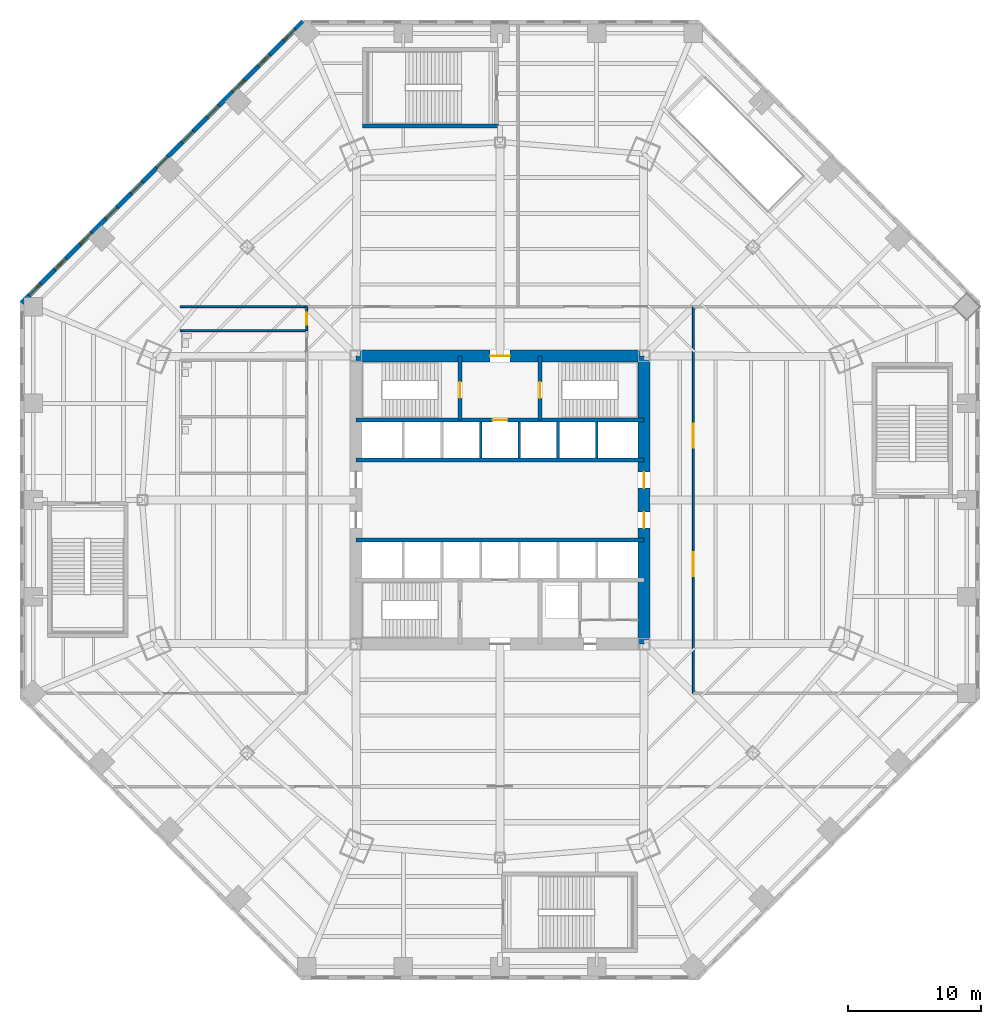
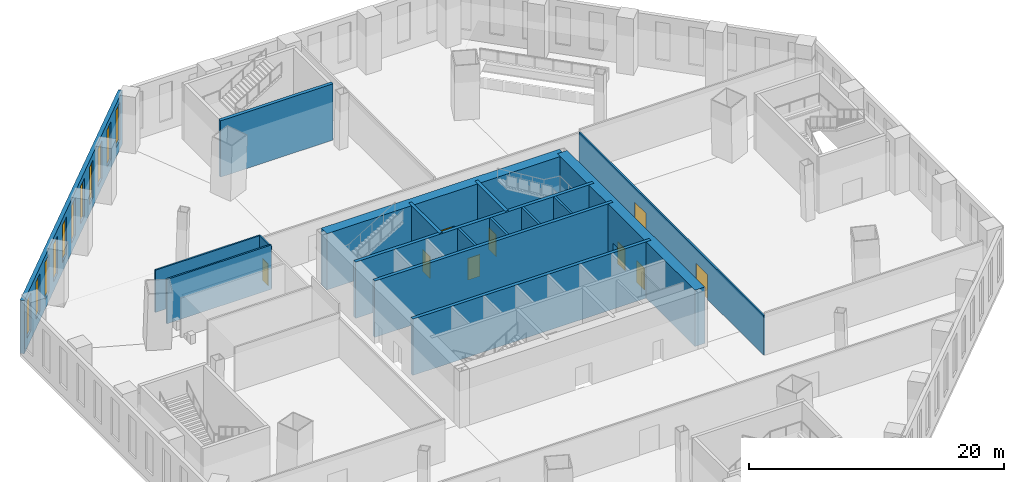
# One storey, part 11 of 18: 17 walls, 11 windows, 9 doors, 20 openings.
"""IFC4 building model written with IfcOpenShell, lengths in metres."""

from ifc_helpers import new_model, si_unit, direction, frame, frame_2d, origin, place, context, subcontext, project, spatial, rectangle, extrude, material, layer, layer_set, type_object, element, fill, save


model = new_model("IFC4")

# Units and contexts
model_context = context("Model", 3, precision=1e-05, world=origin(), true_north=direction((0.0, 1.0)))
body_context = subcontext(model_context, "Body", "Model", "MODEL_VIEW")
ifc_project = project(units=[si_unit("LENGTHUNIT", "METRE"), si_unit("AREAUNIT", "SQUARE_METRE"), si_unit("VOLUMEUNIT", "CUBIC_METRE"), si_unit("PLANEANGLEUNIT", "RADIAN"), si_unit("MASSUNIT", "GRAM", prefix="KILO")], contexts=[model_context])

# Site, building, storey
site_placement = place(None, origin())
site = spatial("IfcSite", under=ifc_project, at=site_placement, CompositionType="ELEMENT")
building_placement = place(site_placement, origin())
building = spatial("IfcBuilding", under=site, at=building_placement, Name="Mashrafa Tower", CompositionType="ELEMENT")
storey_placement = place(building_placement, frame((0.0, 0.0, 13.199951171875)))
storey = spatial("IfcBuildingStorey", under=building, at=storey_placement, Name="L02", CompositionType="ELEMENT", Elevation=13.199951171875)

# Wall
ifc_material_1 = material(Name="Concrete C60/75", Category="concrete")
ifc_layer_1 = layer(ifc_material_1, 0.300048828125)
ifc_layer_set_1 = layer_set([ifc_layer_1], Name="Core wall 300 C60/75")
wall_type_1 = type_object("IfcWallType", Name="Core wall 300 C60/75", PredefinedType="SOLIDWALL", material=ifc_layer_set_1)
wall_1_placement = place(storey_placement, frame((-10.800048828125, 3.0, 0.0), z_axis=(0.0, 0.0, 1.0), x_axis=(1.0, 0.0, 0.0)))
element("IfcWall", 1, at=wall_1_placement, inside=storey, type_object=wall_type_1, Name="Core wall CH-N L02", PredefinedType="SOLIDWALL", context=body_context, shape_type="SweptSolid", body=[
    extrude(rectangle(XDim=21.60009765625, YDim=0.300048828125, at=frame_2d((10.800048828125, 0.0))), origin(), (0.0, 0.0, 1.0), 5.400146484375),
])

# Wall, opening, door
wall_2_placement = place(storey_placement, frame((-10.800048828125, 6.0, 0.0), z_axis=(0.0, 0.0, 1.0), x_axis=(1.0, 0.0, 0.0)))
wall_2 = element("IfcWall", 2, at=wall_2_placement, inside=storey, type_object=wall_type_1, Name="Core wall CB-N L02", PredefinedType="SOLIDWALL", context=body_context, shape_type="SweptSolid", body=[
    extrude(rectangle(XDim=21.60009765625, YDim=0.300048828125, at=frame_2d((10.800048828125, 0.0))), origin(), (0.0, 0.0, 1.0), 5.400146484375),
])
opening_1_placement = place(wall_2_placement, frame((10.25, 0.0, 0.0)))
opening_1 = element("IfcOpeningElement", 3, at=opening_1_placement, cuts=wall_2, Name="Opening 02.F1", PredefinedType="OPENING", context=body_context, shape_type="SweptSolid", body=[
    extrude(rectangle(XDim=1.10009765625, YDim=2.10009765625, at=frame_2d((0.550048828125, 1.050048828125))), frame((0.0, 0.159912109375, 0.0), z_axis=(0.0, -1.0, 0.0), x_axis=(1.0, 0.0, 0.0)), (0.0, 0.0, 1.0), 0.320068359375),
])
ifc_material_2 = material(Name="Steel door", Category="steel")
door_type_1 = type_object("IfcDoorType", Name="Lift landing door 1100 x 2100 90 min", OperationType="DOUBLE_DOOR_SLIDING", PredefinedType="DOOR", material=ifc_material_2)
door_1_placement = place(opening_1_placement, origin())
door_1 = element("IfcDoor", 4, at=door_1_placement, inside=storey, type_object=door_type_1, Name="Lift landing door F1 L02", OperationType="DOUBLE_DOOR_SLIDING", OverallHeight=2.10009765625, OverallWidth=1.10009765625, PredefinedType="DOOR", context=body_context, shape_type="SweptSolid", body=[
    extrude(rectangle(XDim=1.10009765625, YDim=2.10009765625, at=frame_2d((0.550048828125, 1.050048828125))), frame((0.0, 0.02490234375, 0.0), z_axis=(0.0, -1.0, 0.0), x_axis=(1.0, 0.0, 0.0)), (0.0, 0.0, 1.0), 0.050048828125),
])
fill(opening_1, door_1)

wall_3_placement = place(storey_placement, frame((-3.0, 6.0, 0.0), z_axis=(0.0, 0.0, 1.0), x_axis=(0.0, 1.0, 0.0)))
wall_3 = element("IfcWall", 5, at=wall_3_placement, inside=storey, type_object=wall_type_1, Name="Core wall CX-NW L02", PredefinedType="SOLIDWALL", context=body_context, shape_type="SweptSolid", body=[
    extrude(rectangle(XDim=4.800048828125, YDim=0.300048828125, at=frame_2d((2.39990234375, 0.0))), origin(), (0.0, 0.0, 1.0), 5.400146484375),
])
opening_2_placement = place(wall_3_placement, frame((1.64990234375, 0.0, 0.0)))
opening_2 = element("IfcOpeningElement", 6, at=opening_2_placement, cuts=wall_3, Name="Opening 02.021", PredefinedType="OPENING", context=body_context, shape_type="SweptSolid", body=[
    extrude(rectangle(XDim=1.199951171875, YDim=2.10009765625, at=frame_2d((0.60009765625, 1.050048828125))), frame((0.0, 0.159912109375, 0.0), z_axis=(0.0, -1.0, 0.0), x_axis=(1.0, 0.0, 0.0)), (0.0, 0.0, 1.0), 0.320068359375),
])
ifc_material_3 = material(Name="Steel door", Category="steel")
door_type_2 = type_object("IfcDoorType", Name="Stair door 1200 x 2100 90 min", OperationType="USERDEFINED", PredefinedType="DOOR", material=ifc_material_3)
door_2_placement = place(opening_2_placement, origin())
door_2 = element("IfcDoor", 7, at=door_2_placement, inside=storey, type_object=door_type_2, Name="Stair S1 door L02", OperationType="SINGLE_SWING_LEFT", OverallHeight=2.10009765625, OverallWidth=1.199951171875, PredefinedType="DOOR", context=body_context, shape_type="SweptSolid", body=[
    extrude(rectangle(XDim=1.199951171875, YDim=2.10009765625, at=frame_2d((0.60009765625, 1.050048828125))), frame((0.0, 0.02490234375, 0.0), z_axis=(0.0, -1.0, 0.0), x_axis=(1.0, 0.0, 0.0)), (0.0, 0.0, 1.0), 0.050048828125),
])
fill(opening_2, door_2)

wall_4_placement = place(storey_placement, frame((3.0, 6.0, 0.0), z_axis=(0.0, 0.0, 1.0), x_axis=(0.0, 1.0, 0.0)))
wall_4 = element("IfcWall", 8, at=wall_4_placement, inside=storey, type_object=wall_type_1, Name="Core wall CX-NE L02", PredefinedType="SOLIDWALL", context=body_context, shape_type="SweptSolid", body=[
    extrude(rectangle(XDim=4.800048828125, YDim=0.300048828125, at=frame_2d((2.39990234375, 0.0))), origin(), (0.0, 0.0, 1.0), 5.400146484375),
])
opening_3_placement = place(wall_4_placement, frame((1.64990234375, 0.0, 0.0)))
opening_3 = element("IfcOpeningElement", 9, at=opening_3_placement, cuts=wall_4, Name="Opening 02.022", PredefinedType="OPENING", context=body_context, shape_type="SweptSolid", body=[
    extrude(rectangle(XDim=1.199951171875, YDim=2.10009765625, at=frame_2d((0.60009765625, 1.050048828125))), frame((0.0, 0.159912109375, 0.0), z_axis=(0.0, -1.0, 0.0), x_axis=(1.0, 0.0, 0.0)), (0.0, 0.0, 1.0), 0.320068359375),
])
door_3_placement = place(opening_3_placement, frame((1.199951171875, 0.0, 0.0), z_axis=(0.0, 0.0, 1.0), x_axis=(-1.0, 0.0, 0.0)))
door_3 = element("IfcDoor", 10, at=door_3_placement, inside=storey, type_object=door_type_2, Name="Stair S2 door L02", OperationType="SINGLE_SWING_RIGHT", OverallHeight=2.10009765625, OverallWidth=1.199951171875, PredefinedType="DOOR", context=body_context, shape_type="SweptSolid", body=[
    extrude(rectangle(XDim=1.199951171875, YDim=2.10009765625, at=frame_2d((0.60009765625, 1.050048828125))), frame((0.0, 0.02490234375, 0.0), z_axis=(0.0, -1.0, 0.0), x_axis=(1.0, 0.0, 0.0)), (0.0, 0.0, 1.0), 0.050048828125),
])
fill(opening_3, door_3)

# Wall
wall_5_placement = place(storey_placement, frame((-10.800048828125, -3.0, 0.0), z_axis=(0.0, 0.0, 1.0), x_axis=(1.0, 0.0, 0.0)))
element("IfcWall", 11, at=wall_5_placement, inside=storey, type_object=wall_type_1, Name="Core wall CH-S L02", PredefinedType="SOLIDWALL", context=body_context, shape_type="SweptSolid", body=[
    extrude(rectangle(XDim=21.60009765625, YDim=0.300048828125, at=frame_2d((10.800048828125, 0.0))), origin(), (0.0, 0.0, 1.0), 5.400146484375),
])

# Wall, openings, doors
ifc_material_4 = material(Name="Concrete C60/75", Category="concrete")
ifc_layer_2 = layer(ifc_material_4, 0.89990234375)
ifc_layer_set_2 = layer_set([ifc_layer_2], Name="Core wall 900 C60/75")
wall_type_2 = type_object("IfcWallType", Name="Core wall 900 C60/75", PredefinedType="SOLIDWALL", material=ifc_layer_set_2)
wall_6_placement = place(storey_placement, frame((10.800048828125, -10.800048828125, 0.0), z_axis=(0.0, 0.0, 1.0), x_axis=(0.0, 1.0, 0.0)))
wall_6 = element("IfcWall", 12, at=wall_6_placement, inside=storey, type_object=wall_type_2, Name="Core wall CW-E L02", PredefinedType="SOLIDWALL", context=body_context, shape_type="SweptSolid", body=[
    extrude(rectangle(XDim=21.60009765625, YDim=0.89990234375, at=frame_2d((10.800048828125, 0.0))), origin(), (0.0, 0.0, 1.0), 5.400146484375),
])
opening_4_placement = place(wall_6_placement, frame((11.699951171875, 0.0, 0.0)))
opening_4 = element("IfcOpeningElement", 13, at=opening_4_placement, cuts=wall_6, Name="Opening 02.015", PredefinedType="OPENING", context=body_context, shape_type="SweptSolid", body=[
    extrude(rectangle(XDim=1.199951171875, YDim=2.10009765625, at=frame_2d((0.60009765625, 1.050048828125))), frame((0.0, 0.4599609375, 0.0), z_axis=(0.0, -1.0, 0.0), x_axis=(1.0, 0.0, 0.0)), (0.0, 0.0, 1.0), 0.919921875),
])
opening_5_placement = place(wall_6_placement, frame((8.699951171875, 0.0, 0.0)))
opening_5 = element("IfcOpeningElement", 14, at=opening_5_placement, cuts=wall_6, Name="Opening 02.017", PredefinedType="OPENING", context=body_context, shape_type="SweptSolid", body=[
    extrude(rectangle(XDim=1.199951171875, YDim=2.10009765625, at=frame_2d((0.60009765625, 1.050048828125))), frame((0.0, 0.4599609375, 0.0), z_axis=(0.0, -1.0, 0.0), x_axis=(1.0, 0.0, 0.0)), (0.0, 0.0, 1.0), 0.919921875),
])
ifc_material_5 = material(Name="Steel door", Category="steel")
door_type_3 = type_object("IfcDoorType", Name="Lift hall door 1200 x 2100 90 min", OperationType="USERDEFINED", PredefinedType="DOOR", material=ifc_material_5)
door_4_placement = place(opening_4_placement, frame((1.199951171875, 0.0, 0.0), z_axis=(0.0, 0.0, 1.0), x_axis=(-1.0, 0.0, 0.0)))
door_4 = element("IfcDoor", 15, at=door_4_placement, inside=storey, type_object=door_type_3, Name="Lift hall door east L02", OperationType="SINGLE_SWING_LEFT", OverallHeight=2.10009765625, OverallWidth=1.199951171875, PredefinedType="DOOR", context=body_context, shape_type="SweptSolid", body=[
    extrude(rectangle(XDim=1.199951171875, YDim=2.10009765625, at=frame_2d((0.60009765625, 1.050048828125))), frame((0.0, 0.02490234375, 0.0), z_axis=(0.0, -1.0, 0.0), x_axis=(1.0, 0.0, 0.0)), (0.0, 0.0, 1.0), 0.050048828125),
])
fill(opening_4, door_4)
door_5_placement = place(opening_5_placement, frame((1.199951171875, 0.0, 0.0), z_axis=(0.0, 0.0, 1.0), x_axis=(-1.0, 0.0, 0.0)))
door_5 = element("IfcDoor", 16, at=door_5_placement, inside=storey, type_object=door_type_3, Name="Lift hall door east L02", OperationType="SINGLE_SWING_LEFT", OverallHeight=2.10009765625, OverallWidth=1.199951171875, PredefinedType="DOOR", context=body_context, shape_type="SweptSolid", body=[
    extrude(rectangle(XDim=1.199951171875, YDim=2.10009765625, at=frame_2d((0.60009765625, 1.050048828125))), frame((0.0, 0.02490234375, 0.0), z_axis=(0.0, -1.0, 0.0), x_axis=(1.0, 0.0, 0.0)), (0.0, 0.0, 1.0), 0.050048828125),
])
fill(opening_5, door_5)

# Wall, opening, door
wall_7_placement = place(storey_placement, frame((10.800048828125, 10.800048828125, 0.0), z_axis=(0.0, 0.0, 1.0), x_axis=(-1.0, 0.0, 0.0)))
wall_7 = element("IfcWall", 17, at=wall_7_placement, inside=storey, type_object=wall_type_2, Name="Core wall CW-N L02", PredefinedType="SOLIDWALL", context=body_context, shape_type="SweptSolid", body=[
    extrude(rectangle(XDim=21.60009765625, YDim=0.89990234375, at=frame_2d((10.800048828125, 0.0))), origin(), (0.0, 0.0, 1.0), 5.400146484375),
])
opening_6_placement = place(wall_7_placement, frame((10.050048828125, 0.0, 0.0)))
opening_6 = element("IfcOpeningElement", 18, at=opening_6_placement, cuts=wall_7, Name="Opening 02.019", PredefinedType="OPENING", context=body_context, shape_type="SweptSolid", body=[
    extrude(rectangle(XDim=1.5, YDim=2.10009765625, at=frame_2d((0.75, 1.050048828125))), frame((0.0, 0.4599609375, 0.0), z_axis=(0.0, -1.0, 0.0), x_axis=(1.0, 0.0, 0.0)), (0.0, 0.0, 1.0), 0.919921875),
])
ifc_material_6 = material(Name="Steel door", Category="steel")
door_type_4 = type_object("IfcDoorType", Name="Lobby door pair 1500 x 2100 90 min", OperationType="DOUBLE_DOOR_SINGLE_SWING", PredefinedType="DOOR", material=ifc_material_6)
door_6_placement = place(opening_6_placement, origin())
door_6 = element("IfcDoor", 19, at=door_6_placement, inside=storey, type_object=door_type_4, Name="Fire-fighting lobby F1 door L02", OperationType="DOUBLE_DOOR_SINGLE_SWING", OverallHeight=2.10009765625, OverallWidth=1.5, PredefinedType="DOOR", context=body_context, shape_type="SweptSolid", body=[
    extrude(rectangle(XDim=1.5, YDim=2.10009765625, at=frame_2d((0.75, 1.050048828125))), frame((0.0, 0.02490234375, 0.0), z_axis=(0.0, -1.0, 0.0), x_axis=(1.0, 0.0, 0.0)), (0.0, 0.0, 1.0), 0.050048828125),
])
fill(opening_6, door_6)

ifc_material_7 = material(Name="Gypsum board on steel studs", Category="steel")
ifc_layer_3 = layer(ifc_material_7, 0.14990234375)
ifc_layer_set_3 = layer_set([ifc_layer_3], Name="Corridor partition 150 1 hr")
wall_type_3 = type_object("IfcWallType", Name="Corridor partition 150 1 hr", PredefinedType="PARTITIONING", material=ifc_layer_set_3)
wall_8_placement = place(storey_placement, frame((-14.5, 12.699951171875, 0.0), z_axis=(0.0, 0.0, 1.0), x_axis=(0.0, 1.0, 0.0)))
wall_8 = element("IfcWall", 20, at=wall_8_placement, inside=storey, type_object=wall_type_3, Name="Corridor wall L02-009", PredefinedType="PARTITIONING", context=body_context, shape_type="SweptSolid", body=[
    extrude(rectangle(XDim=1.800048828125, YDim=0.14990234375, at=frame_2d((0.89990234375, 0.0))), origin(), (0.0, 0.0, 1.0), 4.048583984375),
])
opening_7_placement = place(wall_8_placement, frame((0.449951171875, 0.0, 0.0)))
opening_7 = element("IfcOpeningElement", 21, at=opening_7_placement, cuts=wall_8, Name="Opening 02.004", PredefinedType="OPENING", context=body_context, shape_type="SweptSolid", body=[
    extrude(rectangle(XDim=0.89990234375, YDim=2.10009765625, at=frame_2d((0.449951171875, 1.050048828125))), frame((0.0, 0.0849609375, 0.0), z_axis=(0.0, -1.0, 0.0), x_axis=(1.0, 0.0, 0.0)), (0.0, 0.0, 1.0), 0.169921875),
])
ifc_material_8 = material(Name="Timber door", Category="wood")
door_type_5 = type_object("IfcDoorType", Name="Store door 900 x 2100", OperationType="USERDEFINED", PredefinedType="DOOR", material=ifc_material_8)
door_7_placement = place(opening_7_placement, origin())
door_7 = element("IfcDoor", 22, at=door_7_placement, inside=storey, type_object=door_type_5, Name="Cleaner's Store L02 door", OperationType="SINGLE_SWING_LEFT", OverallHeight=2.10009765625, OverallWidth=0.89990234375, PredefinedType="DOOR", context=body_context, shape_type="SweptSolid", body=[
    extrude(rectangle(XDim=0.89990234375, YDim=2.10009765625, at=frame_2d((0.449951171875, 1.050048828125))), frame((0.0, 0.02490234375, 0.0), z_axis=(0.0, -1.0, 0.0), x_axis=(1.0, 0.0, 0.0)), (0.0, 0.0, 1.0), 0.050048828125),
])
fill(opening_7, door_7)

# Wall, openings, doors
wall_9_placement = place(storey_placement, frame((14.5, 14.5, 0.0), z_axis=(0.0, 0.0, 1.0), x_axis=(0.0, -1.0, 0.0)))
wall_9 = element("IfcWall", 23, at=wall_9_placement, inside=storey, type_object=wall_type_3, Name="Corridor wall L02-014", PredefinedType="PARTITIONING", context=body_context, shape_type="SweptSolid", body=[
    extrude(rectangle(XDim=29.0, YDim=0.14990234375, at=frame_2d((14.5, 0.0))), origin(), (0.0, 0.0, 1.0), 3.7900390625),
])
opening_8_placement = place(wall_9_placement, frame((8.7666015625, 0.0, 0.0)))
opening_8 = element("IfcOpeningElement", 24, at=opening_8_placement, cuts=wall_9, Name="Opening 02.009", PredefinedType="OPENING", context=body_context, shape_type="SweptSolid", body=[
    extrude(rectangle(XDim=1.800048828125, YDim=2.39990234375, at=frame_2d((0.89990234375, 1.199951171875))), frame((0.0, 0.0849609375, 0.0), z_axis=(0.0, -1.0, 0.0), x_axis=(1.0, 0.0, 0.0)), (0.0, 0.0, 1.0), 0.169921875),
])
opening_9_placement = place(wall_9_placement, frame((18.433349609375, 0.0, 0.0)))
opening_9 = element("IfcOpeningElement", 25, at=opening_9_placement, cuts=wall_9, Name="Opening 02.010", PredefinedType="OPENING", context=body_context, shape_type="SweptSolid", body=[
    extrude(rectangle(XDim=1.800048828125, YDim=2.39990234375, at=frame_2d((0.89990234375, 1.199951171875))), frame((0.0, 0.0849609375, 0.0), z_axis=(0.0, -1.0, 0.0), x_axis=(1.0, 0.0, 0.0)), (0.0, 0.0, 1.0), 0.169921875),
])
ifc_material_9 = material(Name="Timber door", Category="wood")
door_type_6 = type_object("IfcDoorType", Name="Door pair 1800 x 2400", OperationType="DOUBLE_DOOR_SINGLE_SWING", PredefinedType="DOOR", material=ifc_material_9)
door_8_placement = place(opening_8_placement, origin())
door_8 = element("IfcDoor", 26, at=door_8_placement, inside=storey, type_object=door_type_6, Name="Exhibition Gallery 203 door", OperationType="DOUBLE_DOOR_SINGLE_SWING", OverallHeight=2.39990234375, OverallWidth=1.800048828125, PredefinedType="DOOR", context=body_context, shape_type="SweptSolid", body=[
    extrude(rectangle(XDim=1.800048828125, YDim=2.39990234375, at=frame_2d((0.89990234375, 1.199951171875))), frame((0.0, 0.02490234375, 0.0), z_axis=(0.0, -1.0, 0.0), x_axis=(1.0, 0.0, 0.0)), (0.0, 0.0, 1.0), 0.050048828125),
])
fill(opening_8, door_8)
door_9_placement = place(opening_9_placement, origin())
door_9 = element("IfcDoor", 27, at=door_9_placement, inside=storey, type_object=door_type_6, Name="Exhibition Gallery 203 door", OperationType="DOUBLE_DOOR_SINGLE_SWING", OverallHeight=2.39990234375, OverallWidth=1.800048828125, PredefinedType="DOOR", context=body_context, shape_type="SweptSolid", body=[
    extrude(rectangle(XDim=1.800048828125, YDim=2.39990234375, at=frame_2d((0.89990234375, 1.199951171875))), frame((0.0, 0.02490234375, 0.0), z_axis=(0.0, -1.0, 0.0), x_axis=(1.0, 0.0, 0.0)), (0.0, 0.0, 1.0), 0.050048828125),
])
fill(opening_9, door_9)

# Wall, openings, windows
ifc_material_10 = material(Name="Riyadh limestone cladding on blockwork", Category="masonry")
ifc_layer_4 = layer(ifc_material_10, 0.35009765625)
ifc_layer_set_4 = layer_set([ifc_layer_4], Name="Limestone-clad external wall 350")
wall_type_4 = type_object("IfcWallType", Name="Limestone-clad external wall 350", PredefinedType="SOLIDWALL", material=ifc_layer_set_4)
wall_10_placement = place(storey_placement, frame((-14.787841796875, 35.876220703125, 0.0), z_axis=(0.0, 0.0, 1.0), x_axis=(-0.707106781187, -0.707106781187, 0.0)))
wall_10 = element("IfcWall", 28, at=wall_10_placement, inside=storey, type_object=wall_type_4, Name="Limestone-clad external wall L02 north-west", PredefinedType="SOLIDWALL", context=body_context, shape_type="SweptSolid", body=[
    extrude(rectangle(XDim=29.823486328125, YDim=0.35009765625, at=frame_2d((14.91162109375, 0.0))), origin(), (0.0, 0.0, 1.0), 5.10009765625),
])
opening_10_placement = place(wall_10_placement, frame((0.821533203125, 0.0, 0.89990234375)))
opening_10 = element("IfcOpeningElement", 29, at=opening_10_placement, cuts=wall_10, Name="Opening W2", PredefinedType="OPENING", context=body_context, shape_type="SweptSolid", body=[
    extrude(rectangle(XDim=1.199951171875, YDim=3.60009765625, at=frame_2d((0.60009765625, 1.800048828125))), frame((0.0, 0.18505859375, 0.0), z_axis=(0.0, -1.0, 0.0), x_axis=(1.0, 0.0, 0.0)), (0.0, 0.0, 1.0), 0.3701171875),
])
opening_11_placement = place(wall_10_placement, frame((3.51953125, 0.0, 0.89990234375)))
opening_11 = element("IfcOpeningElement", 30, at=opening_11_placement, cuts=wall_10, Name="Opening W2", PredefinedType="OPENING", context=body_context, shape_type="SweptSolid", body=[
    extrude(rectangle(XDim=1.199951171875, YDim=3.60009765625, at=frame_2d((0.60009765625, 1.800048828125))), frame((0.0, 0.18505859375, 0.0), z_axis=(0.0, -1.0, 0.0), x_axis=(1.0, 0.0, 0.0)), (0.0, 0.0, 1.0), 0.3701171875),
])
opening_12_placement = place(wall_10_placement, frame((6.217529296875, 0.0, 0.89990234375)))
opening_12 = element("IfcOpeningElement", 31, at=opening_12_placement, cuts=wall_10, Name="Opening W2", PredefinedType="OPENING", context=body_context, shape_type="SweptSolid", body=[
    extrude(rectangle(XDim=1.199951171875, YDim=3.60009765625, at=frame_2d((0.60009765625, 1.800048828125))), frame((0.0, 0.18505859375, 0.0), z_axis=(0.0, -1.0, 0.0), x_axis=(1.0, 0.0, 0.0)), (0.0, 0.0, 1.0), 0.3701171875),
])
opening_13_placement = place(wall_10_placement, frame((8.91552734375, 0.0, 0.89990234375)))
opening_13 = element("IfcOpeningElement", 32, at=opening_13_placement, cuts=wall_10, Name="Opening W2", PredefinedType="OPENING", context=body_context, shape_type="SweptSolid", body=[
    extrude(rectangle(XDim=1.199951171875, YDim=3.60009765625, at=frame_2d((0.60009765625, 1.800048828125))), frame((0.0, 0.18505859375, 0.0), z_axis=(0.0, -1.0, 0.0), x_axis=(1.0, 0.0, 0.0)), (0.0, 0.0, 1.0), 0.3701171875),
])
opening_14_placement = place(wall_10_placement, frame((11.61376953125, 0.0, 0.89990234375)))
opening_14 = element("IfcOpeningElement", 33, at=opening_14_placement, cuts=wall_10, Name="Opening W2", PredefinedType="OPENING", context=body_context, shape_type="SweptSolid", body=[
    extrude(rectangle(XDim=1.199951171875, YDim=3.60009765625, at=frame_2d((0.60009765625, 1.800048828125))), frame((0.0, 0.18505859375, 0.0), z_axis=(0.0, -1.0, 0.0), x_axis=(1.0, 0.0, 0.0)), (0.0, 0.0, 1.0), 0.3701171875),
])
opening_15_placement = place(wall_10_placement, frame((14.311767578125, 0.0, 0.89990234375)))
opening_15 = element("IfcOpeningElement", 34, at=opening_15_placement, cuts=wall_10, Name="Opening W2", PredefinedType="OPENING", context=body_context, shape_type="SweptSolid", body=[
    extrude(rectangle(XDim=1.199951171875, YDim=3.60009765625, at=frame_2d((0.60009765625, 1.800048828125))), frame((0.0, 0.18505859375, 0.0), z_axis=(0.0, -1.0, 0.0), x_axis=(1.0, 0.0, 0.0)), (0.0, 0.0, 1.0), 0.3701171875),
])
opening_16_placement = place(wall_10_placement, frame((17.009765625, 0.0, 0.89990234375)))
opening_16 = element("IfcOpeningElement", 35, at=opening_16_placement, cuts=wall_10, Name="Opening W2", PredefinedType="OPENING", context=body_context, shape_type="SweptSolid", body=[
    extrude(rectangle(XDim=1.199951171875, YDim=3.60009765625, at=frame_2d((0.60009765625, 1.800048828125))), frame((0.0, 0.18505859375, 0.0), z_axis=(0.0, -1.0, 0.0), x_axis=(1.0, 0.0, 0.0)), (0.0, 0.0, 1.0), 0.3701171875),
])
opening_17_placement = place(wall_10_placement, frame((19.707763671875, 0.0, 0.89990234375)))
opening_17 = element("IfcOpeningElement", 36, at=opening_17_placement, cuts=wall_10, Name="Opening W2", PredefinedType="OPENING", context=body_context, shape_type="SweptSolid", body=[
    extrude(rectangle(XDim=1.199951171875, YDim=3.60009765625, at=frame_2d((0.60009765625, 1.800048828125))), frame((0.0, 0.18505859375, 0.0), z_axis=(0.0, -1.0, 0.0), x_axis=(1.0, 0.0, 0.0)), (0.0, 0.0, 1.0), 0.3701171875),
])
opening_18_placement = place(wall_10_placement, frame((22.40576171875, 0.0, 0.89990234375)))
opening_18 = element("IfcOpeningElement", 37, at=opening_18_placement, cuts=wall_10, Name="Opening W2", PredefinedType="OPENING", context=body_context, shape_type="SweptSolid", body=[
    extrude(rectangle(XDim=1.199951171875, YDim=3.60009765625, at=frame_2d((0.60009765625, 1.800048828125))), frame((0.0, 0.18505859375, 0.0), z_axis=(0.0, -1.0, 0.0), x_axis=(1.0, 0.0, 0.0)), (0.0, 0.0, 1.0), 0.3701171875),
])
opening_19_placement = place(wall_10_placement, frame((25.103759765625, 0.0, 0.89990234375)))
opening_19 = element("IfcOpeningElement", 38, at=opening_19_placement, cuts=wall_10, Name="Opening W2", PredefinedType="OPENING", context=body_context, shape_type="SweptSolid", body=[
    extrude(rectangle(XDim=1.199951171875, YDim=3.60009765625, at=frame_2d((0.60009765625, 1.800048828125))), frame((0.0, 0.18505859375, 0.0), z_axis=(0.0, -1.0, 0.0), x_axis=(1.0, 0.0, 0.0)), (0.0, 0.0, 1.0), 0.3701171875),
])
opening_20_placement = place(wall_10_placement, frame((27.8017578125, 0.0, 0.89990234375)))
opening_20 = element("IfcOpeningElement", 39, at=opening_20_placement, cuts=wall_10, Name="Opening W2", PredefinedType="OPENING", context=body_context, shape_type="SweptSolid", body=[
    extrude(rectangle(XDim=1.199951171875, YDim=3.60009765625, at=frame_2d((0.60009765625, 1.800048828125))), frame((0.0, 0.18505859375, 0.0), z_axis=(0.0, -1.0, 0.0), x_axis=(1.0, 0.0, 0.0)), (0.0, 0.0, 1.0), 0.3701171875),
])
ifc_material_11 = material(Name="Bronze-framed insulated glazing", Category="glass")
window_type = type_object("IfcWindowType", Name="Tall punched window 1200 x 3600", PartitioningType="DOUBLE_PANEL_HORIZONTAL", PredefinedType="WINDOW", material=ifc_material_11)
window_1_placement = place(opening_10_placement, origin())
window_1 = element("IfcWindow", 40, at=window_1_placement, inside=storey, type_object=window_type, Name="Window W2 L02 north-west bay 1", OverallHeight=3.60009765625, OverallWidth=1.199951171875, PartitioningType="SINGLE_PANEL", PredefinedType="WINDOW", context=body_context, shape_type="SweptSolid", body=[
    extrude(rectangle(XDim=1.199951171875, YDim=3.60009765625, at=frame_2d((0.60009765625, 1.800048828125))), frame((0.0, 0.030029296875, 0.0), z_axis=(0.0, -1.0, 0.0), x_axis=(1.0, 0.0, 0.0)), (0.0, 0.0, 1.0), 0.06005859375),
])
fill(opening_10, window_1)
window_2_placement = place(opening_11_placement, origin())
window_2 = element("IfcWindow", 41, at=window_2_placement, inside=storey, type_object=window_type, Name="Window W2 L02 north-west bay 2", OverallHeight=3.60009765625, OverallWidth=1.199951171875, PartitioningType="SINGLE_PANEL", PredefinedType="WINDOW", context=body_context, shape_type="SweptSolid", body=[
    extrude(rectangle(XDim=1.199951171875, YDim=3.60009765625, at=frame_2d((0.60009765625, 1.800048828125))), frame((0.0, 0.030029296875, 0.0), z_axis=(0.0, -1.0, 0.0), x_axis=(1.0, 0.0, 0.0)), (0.0, 0.0, 1.0), 0.06005859375),
])
fill(opening_11, window_2)
window_3_placement = place(opening_12_placement, origin())
window_3 = element("IfcWindow", 42, at=window_3_placement, inside=storey, type_object=window_type, Name="Window W2 L02 north-west bay 3", OverallHeight=3.60009765625, OverallWidth=1.199951171875, PartitioningType="SINGLE_PANEL", PredefinedType="WINDOW", context=body_context, shape_type="SweptSolid", body=[
    extrude(rectangle(XDim=1.199951171875, YDim=3.60009765625, at=frame_2d((0.60009765625, 1.800048828125))), frame((0.0, 0.030029296875, 0.0), z_axis=(0.0, -1.0, 0.0), x_axis=(1.0, 0.0, 0.0)), (0.0, 0.0, 1.0), 0.06005859375),
])
fill(opening_12, window_3)
window_4_placement = place(opening_13_placement, origin())
window_4 = element("IfcWindow", 43, at=window_4_placement, inside=storey, type_object=window_type, Name="Window W2 L02 north-west bay 4", OverallHeight=3.60009765625, OverallWidth=1.199951171875, PartitioningType="SINGLE_PANEL", PredefinedType="WINDOW", context=body_context, shape_type="SweptSolid", body=[
    extrude(rectangle(XDim=1.199951171875, YDim=3.60009765625, at=frame_2d((0.60009765625, 1.800048828125))), frame((0.0, 0.030029296875, 0.0), z_axis=(0.0, -1.0, 0.0), x_axis=(1.0, 0.0, 0.0)), (0.0, 0.0, 1.0), 0.06005859375),
])
fill(opening_13, window_4)
window_5_placement = place(opening_14_placement, origin())
window_5 = element("IfcWindow", 44, at=window_5_placement, inside=storey, type_object=window_type, Name="Window W2 L02 north-west bay 5", OverallHeight=3.60009765625, OverallWidth=1.199951171875, PartitioningType="SINGLE_PANEL", PredefinedType="WINDOW", context=body_context, shape_type="SweptSolid", body=[
    extrude(rectangle(XDim=1.199951171875, YDim=3.60009765625, at=frame_2d((0.60009765625, 1.800048828125))), frame((0.0, 0.030029296875, 0.0), z_axis=(0.0, -1.0, 0.0), x_axis=(1.0, 0.0, 0.0)), (0.0, 0.0, 1.0), 0.06005859375),
])
fill(opening_14, window_5)
window_6_placement = place(opening_15_placement, origin())
window_6 = element("IfcWindow", 45, at=window_6_placement, inside=storey, type_object=window_type, Name="Window W2 L02 north-west bay 6", OverallHeight=3.60009765625, OverallWidth=1.199951171875, PartitioningType="SINGLE_PANEL", PredefinedType="WINDOW", context=body_context, shape_type="SweptSolid", body=[
    extrude(rectangle(XDim=1.199951171875, YDim=3.60009765625, at=frame_2d((0.60009765625, 1.800048828125))), frame((0.0, 0.030029296875, 0.0), z_axis=(0.0, -1.0, 0.0), x_axis=(1.0, 0.0, 0.0)), (0.0, 0.0, 1.0), 0.06005859375),
])
fill(opening_15, window_6)
window_7_placement = place(opening_16_placement, origin())
window_7 = element("IfcWindow", 46, at=window_7_placement, inside=storey, type_object=window_type, Name="Window W2 L02 north-west bay 7", OverallHeight=3.60009765625, OverallWidth=1.199951171875, PartitioningType="SINGLE_PANEL", PredefinedType="WINDOW", context=body_context, shape_type="SweptSolid", body=[
    extrude(rectangle(XDim=1.199951171875, YDim=3.60009765625, at=frame_2d((0.60009765625, 1.800048828125))), frame((0.0, 0.030029296875, 0.0), z_axis=(0.0, -1.0, 0.0), x_axis=(1.0, 0.0, 0.0)), (0.0, 0.0, 1.0), 0.06005859375),
])
fill(opening_16, window_7)
window_8_placement = place(opening_17_placement, origin())
window_8 = element("IfcWindow", 47, at=window_8_placement, inside=storey, type_object=window_type, Name="Window W2 L02 north-west bay 8", OverallHeight=3.60009765625, OverallWidth=1.199951171875, PartitioningType="SINGLE_PANEL", PredefinedType="WINDOW", context=body_context, shape_type="SweptSolid", body=[
    extrude(rectangle(XDim=1.199951171875, YDim=3.60009765625, at=frame_2d((0.60009765625, 1.800048828125))), frame((0.0, 0.030029296875, 0.0), z_axis=(0.0, -1.0, 0.0), x_axis=(1.0, 0.0, 0.0)), (0.0, 0.0, 1.0), 0.06005859375),
])
fill(opening_17, window_8)
window_9_placement = place(opening_18_placement, origin())
window_9 = element("IfcWindow", 48, at=window_9_placement, inside=storey, type_object=window_type, Name="Window W2 L02 north-west bay 9", OverallHeight=3.60009765625, OverallWidth=1.199951171875, PartitioningType="SINGLE_PANEL", PredefinedType="WINDOW", context=body_context, shape_type="SweptSolid", body=[
    extrude(rectangle(XDim=1.199951171875, YDim=3.60009765625, at=frame_2d((0.60009765625, 1.800048828125))), frame((0.0, 0.030029296875, 0.0), z_axis=(0.0, -1.0, 0.0), x_axis=(1.0, 0.0, 0.0)), (0.0, 0.0, 1.0), 0.06005859375),
])
fill(opening_18, window_9)
window_10_placement = place(opening_19_placement, origin())
window_10 = element("IfcWindow", 49, at=window_10_placement, inside=storey, type_object=window_type, Name="Window W2 L02 north-west bay 10", OverallHeight=3.60009765625, OverallWidth=1.199951171875, PartitioningType="SINGLE_PANEL", PredefinedType="WINDOW", context=body_context, shape_type="SweptSolid", body=[
    extrude(rectangle(XDim=1.199951171875, YDim=3.60009765625, at=frame_2d((0.60009765625, 1.800048828125))), frame((0.0, 0.030029296875, 0.0), z_axis=(0.0, -1.0, 0.0), x_axis=(1.0, 0.0, 0.0)), (0.0, 0.0, 1.0), 0.06005859375),
])
fill(opening_19, window_10)
window_11_placement = place(opening_20_placement, origin())
window_11 = element("IfcWindow", 50, at=window_11_placement, inside=storey, type_object=window_type, Name="Window W2 L02 north-west bay 11", OverallHeight=3.60009765625, OverallWidth=1.199951171875, PartitioningType="SINGLE_PANEL", PredefinedType="WINDOW", context=body_context, shape_type="SweptSolid", body=[
    extrude(rectangle(XDim=1.199951171875, YDim=3.60009765625, at=frame_2d((0.60009765625, 1.800048828125))), frame((0.0, 0.030029296875, 0.0), z_axis=(0.0, -1.0, 0.0), x_axis=(1.0, 0.0, 0.0)), (0.0, 0.0, 1.0), 0.06005859375),
])
fill(opening_20, window_11)

# Walls
ifc_material_12 = material(Name="Gypsum board on steel studs", Category="steel")
ifc_layer_5 = layer(ifc_material_12, 0.14990234375)
ifc_layer_set_5 = layer_set([ifc_layer_5], Name="Partition 150")
wall_type_5 = type_object("IfcWallType", Name="Partition 150", PredefinedType="PARTITIONING", material=ifc_layer_set_5)
wall_11_placement = place(storey_placement, frame((-14.5, 12.699951171875, 0.0), z_axis=(0.0, 0.0, 1.0), x_axis=(-1.0, 0.0, 0.0)))
element("IfcWall", 51, at=wall_11_placement, inside=storey, type_object=wall_type_5, Name="Partition wall L02-006", PredefinedType="PARTITIONING", context=body_context, shape_type="SweptSolid", body=[
    extrude(rectangle(XDim=9.5, YDim=0.14990234375, at=frame_2d((4.75, 0.0))), origin(), (0.0, 0.0, 1.0), 4.249267578125),
])
wall_12_placement = place(storey_placement, frame((-14.5, 14.5, 0.0), z_axis=(0.0, 0.0, 1.0), x_axis=(-1.0, 0.0, 0.0)))
element("IfcWall", 52, at=wall_12_placement, inside=storey, type_object=wall_type_5, Name="Partition wall L02-008", PredefinedType="PARTITIONING", context=body_context, shape_type="SweptSolid", body=[
    extrude(rectangle(XDim=9.5, YDim=0.14990234375, at=frame_2d((4.75, 0.0))), origin(), (0.0, 0.0, 1.0), 4.048583984375),
])
ifc_material_13 = material(Name="Gypsum shaft wall on steel studs", Category="steel")
ifc_layer_6 = layer(ifc_material_13, 0.199951171875)
ifc_layer_set_6 = layer_set([ifc_layer_6], Name="Shaft divider wall 200 2 hr")
wall_type_6 = type_object("IfcWallType", Name="Shaft divider wall 200 2 hr", PredefinedType="PARTITIONING", material=ifc_layer_set_6)
for number, where, z_axis, x_axis, name in (
    (53, (-1.449951171875, 3.14990234375, 0.0), (0.0, 0.0, 1.0), (0.0, 1.0, 0.0), "Shaft divider wall N3 L02"),
    (54, (1.449951171875, 3.14990234375, 0.0), (0.0, 0.0, 1.0), (0.0, 1.0, 0.0), "Shaft divider wall N4 L02"),
    (55, (4.35009765625, 3.14990234375, 0.0), (0.0, 0.0, 1.0), (0.0, 1.0, 0.0), "Shaft divider wall N5 L02"),
    (56, (7.25, 3.14990234375, 0.0), (0.0, 0.0, 1.0), (0.0, 1.0, 0.0), "Shaft divider wall N6 L02"),
):
    element("IfcWall", number, at=place(storey_placement, frame(where, z_axis=z_axis, x_axis=x_axis)), inside=storey, type_object=wall_type_6, Name=name, PredefinedType="PARTITIONING", context=body_context, shape_type="SweptSolid", body=[
        extrude(rectangle(XDim=2.7001953125, YDim=0.199951171875, at=frame_2d((1.35009765625, 0.0))), origin(), (0.0, 0.0, 1.0), 5.400146484375),
    ])
ifc_material_14 = material(Name="Concrete C35/45", Category="concrete")
ifc_layer_7 = layer(ifc_material_14, 0.300048828125)
ifc_layer_set_7 = layer_set([ifc_layer_7], Name="Stair core wall 300 3 hr")
wall_type_7 = type_object("IfcWallType", Name="Stair core wall 300 3 hr", PredefinedType="SOLIDWALL", material=ifc_layer_set_7)
wall_13_placement = place(storey_placement, frame((-10.300048828125, 28.050048828125, 0.0), z_axis=(0.0, 0.0, 1.0), x_axis=(1.0, 0.0, 0.0)))
element("IfcWall", 57, at=wall_13_placement, inside=storey, type_object=wall_type_7, Name="Stair P2 core wall S L02", PredefinedType="SOLIDWALL", context=body_context, shape_type="SweptSolid", body=[
    extrude(rectangle(XDim=10.199951171875, YDim=0.300048828125, at=frame_2d((5.10009765625, 0.0))), origin(), (0.0, 0.0, 1.0), 5.400146484375),
])

save(model, "model.ifc")
